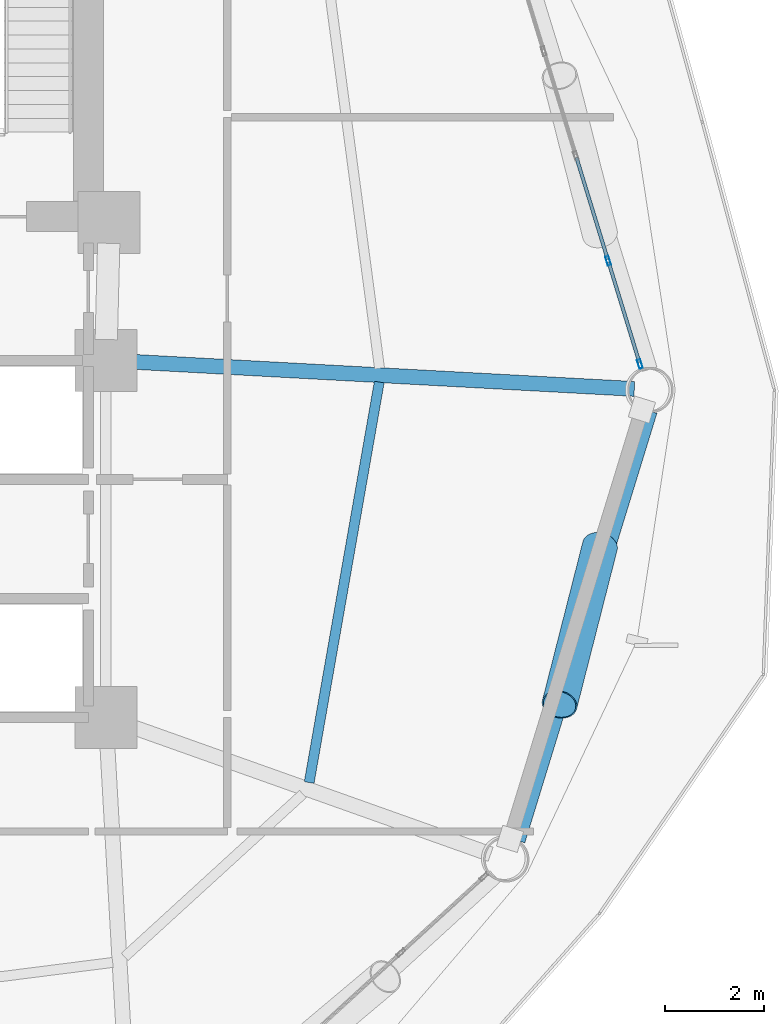
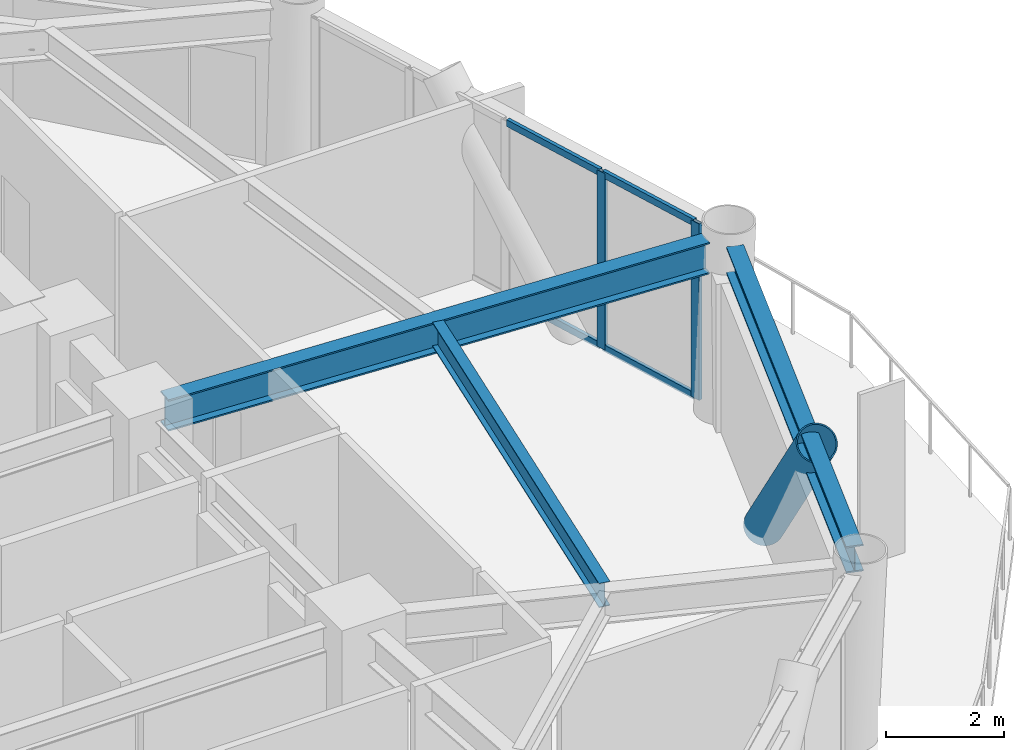
# One storey, part 14 of 24: 7 members, 3 beams, 1 element without a shape of its own.
"""IFC4 building model written with IfcOpenShell, lengths in metres."""

import ifcopenshell
import ifcopenshell.guid

model = None  # the IFC model being written
_history = None  # IfcOwnerHistory: only IFC2X3 demands one
_inside = {}  # id of a spatial element -> (the spatial element, [elements in it])
_under = {}  # id of a project, library or spatial element -> (it, [spatial elements below it])
_declared = {}  # id of a project -> (the project, [libraries it declares])
_typed = {}  # id of a type object -> (the type object, [elements of that type])
_made_of = {}  # id of a material, layer set ... -> (it, [elements and type objects made of it])


def new_model(schema):
    """Start an empty IFC model of exactly this schema.

    Asked for "IFC4X3", IfcOpenShell would pick the latest addendum, in which some entities
    have other attributes; the version numbers below select the first issue.
    IFC2X3 requires an IfcOwnerHistory on every rooted entity: one is made here for all.
    """
    global model, _history
    if schema == "IFC4X3":
        model = ifcopenshell.file(schema_version=(4, 3, 0, 0))
    else:
        model = ifcopenshell.file(schema=schema)
    _inside.clear()
    _under.clear()
    _declared.clear()
    _typed.clear()
    _made_of.clear()
    _history = None
    if model.schema == "IFC2X3":
        org = make("IfcOrganization", Name="unknown")
        user = make(
            "IfcPersonAndOrganization",
            ThePerson=make("IfcPerson", FamilyName="unknown"),
            TheOrganization=org,
        )
        app = make(
            "IfcApplication",
            ApplicationDeveloper=org,
            Version="unknown",
            ApplicationFullName="unknown",
            ApplicationIdentifier="unknown",
        )
        _history = make(
            "IfcOwnerHistory",
            OwningUser=user,
            OwningApplication=app,
            ChangeAction="ADDED",
            CreationDate=0,
        )
    return model


def make(cls, **values):
    """One entity of the class cls with the attributes given. An attribute that is None is left unset."""
    return model.create_entity(
        cls, **{name: value for name, value in values.items() if value is not None}
    )


def rooted(cls, **values):
    """An entity with a GlobalId (a new one), such as an element, a storey or a relation."""
    return make(cls, GlobalId=ifcopenshell.guid.new(), OwnerHistory=_history, **values)


def si_unit(unit_type, name, prefix=None):
    """IfcSIUnit, for example si_unit("LENGTHUNIT", "METRE", prefix="MILLI")."""
    return make("IfcSIUnit", UnitType=unit_type, Prefix=prefix, Name=name)


def assignment(units):
    """IfcUnitAssignment: the units of a project."""
    return None if units is None else make("IfcUnitAssignment", Units=units)


def point(xyz):
    """IfcCartesianPoint."""
    return None if xyz is None else make("IfcCartesianPoint", Coordinates=xyz)


def direction(xyz):
    """IfcDirection."""
    return None if xyz is None else make("IfcDirection", DirectionRatios=xyz)


def frame(location, z_axis=None, x_axis=None):
    """IfcAxis2Placement3D, a coordinate frame: its origin and axes. An axis left out is left unset."""
    return make(
        "IfcAxis2Placement3D",
        Location=point(location),
        Axis=direction(z_axis),
        RefDirection=direction(x_axis),
    )


def frame_2d(location, x_axis=None):
    """IfcAxis2Placement2D, a coordinate frame in the plane: its origin and x axis."""
    return make(
        "IfcAxis2Placement2D", Location=point(location), RefDirection=direction(x_axis)
    )


def origin():
    """The frame at (0, 0, 0) with its axes left unset."""
    return frame((0.0, 0.0, 0.0))


def origin_2d():
    """The frame at (0, 0) in the plane with its x axis left unset."""
    return frame_2d((0.0, 0.0))


def place(relative_to, where):
    """IfcLocalPlacement: puts the frame where relative to a parent placement (None: the world)."""
    return make(
        "IfcLocalPlacement", PlacementRelTo=relative_to, RelativePlacement=where
    )


def context(
    kind, dimensions, precision=None, world=None, true_north=None, identifier=None
):
    """IfcGeometricRepresentationContext, for example the 3D "Model" context."""
    return make(
        "IfcGeometricRepresentationContext",
        ContextIdentifier=identifier,
        ContextType=kind,
        CoordinateSpaceDimension=dimensions,
        Precision=precision,
        WorldCoordinateSystem=world,
        TrueNorth=true_north,
    )


def subcontext(parent, identifier, kind, view, scale=None):
    """IfcGeometricRepresentationSubContext, for example "Body" below "Model"."""
    return make(
        "IfcGeometricRepresentationSubContext",
        ContextIdentifier=identifier,
        ContextType=kind,
        ParentContext=parent,
        TargetScale=scale,
        TargetView=view,
    )


def project(units=None, contexts=None):
    """IfcProject with its units and contexts."""
    return rooted(
        "IfcProject",
        Name="project",
        RepresentationContexts=contexts,
        UnitsInContext=assignment(units),
    )


def spatial(cls, under=None, at=None, **own):
    """A site, building, storey or space (cls), placed at a placement, below another one or the project."""
    s = rooted(cls, ObjectPlacement=at, **own)
    if under is not None:
        _under.setdefault(under.id(), (under, []))[1].append(s)
    return s


def profile(cls, at=None, kind="AREA", **sizes):
    """A parametric profile (cls). Its sizes go by their IFC names, for example OverallWidth=200.0."""
    return make(cls, ProfileType=kind, Position=at, **sizes)


def hollow_rectangle(**sizes):
    """IfcRectangleHollowProfileDef."""
    return profile("IfcRectangleHollowProfileDef", **sizes)


def hollow_circle(**sizes):
    """IfcCircleHollowProfileDef."""
    return profile("IfcCircleHollowProfileDef", **sizes)


def i_section(**sizes):
    """IfcIShapeProfileDef."""
    return profile("IfcIShapeProfileDef", **sizes)


def extrude(swept, where, along, depth):
    """IfcExtrudedAreaSolid: the profile swept, set in the frame where, extruded along a direction by depth."""
    return make(
        "IfcExtrudedAreaSolid",
        SweptArea=swept,
        Position=where,
        ExtrudedDirection=direction(along),
        Depth=depth,
    )


def shape(context_of_items, identifier, shape_type, items):
    """IfcShapeRepresentation: the items that make up one representation, for example the "Body"."""
    return make(
        "IfcShapeRepresentation",
        ContextOfItems=context_of_items,
        RepresentationIdentifier=identifier,
        RepresentationType=shape_type,
        Items=items,
    )


def material(Name=None, Category=None):
    """IfcMaterial."""
    return make("IfcMaterial", Name=Name, Category=Category)


def layer(
    of_material, thickness, ventilated=None, Name=None, Category=None, Priority=None
):
    """IfcMaterialLayer: one layer of a wall or slab, of a material (None: an air gap)."""
    return make(
        "IfcMaterialLayer",
        Material=of_material,
        LayerThickness=thickness,
        IsVentilated=ventilated,
        Name=Name,
        Category=Category,
        Priority=Priority,
    )


def layer_set(layers, Name=None):
    """IfcMaterialLayerSet."""
    return make("IfcMaterialLayerSet", MaterialLayers=layers, LayerSetName=Name)


def material_profile(
    of_material, cross_section, Name=None, Category=None, Priority=None
):
    """IfcMaterialProfile: a cross section and its material."""
    return make(
        "IfcMaterialProfile",
        Name=Name,
        Material=of_material,
        Profile=cross_section,
        Priority=Priority,
        Category=Category,
    )


def profile_set(profiles, Name=None, composite=None):
    """IfcMaterialProfileSet."""
    return make(
        "IfcMaterialProfileSet",
        Name=Name,
        MaterialProfiles=profiles,
        CompositeProfile=composite,
    )


def made_of(thing, what):
    """Note that an element or type object is made of a material, layer set ...; save() writes the relation."""
    if what is not None:
        _made_of.setdefault(what.id(), (what, []))[1].append(thing)
    return thing


def type_object(cls, material=None, **own):
    """A type object (cls), such as IfcWallType, which elements share."""
    return made_of(rooted(cls, **own), material)


def element(
    cls,
    number,
    at=None,
    inside=None,
    cuts=None,
    type_object=None,
    material=None,
    context=None,
    identifier="Body",
    shape_type=None,
    held_by="IfcProductDefinitionShape",
    body=None,
    shapes=None,
    **own,
):
    """One element of the class cls, such as IfcWall. Its Tag is "e" and its number.

    at: its placement. inside: the storey or other place that contains it. cuts: it is an
    opening in that element (IfcRelVoidsElement). A single representation is given by context,
    identifier, shape_type and body (its items); several are given by shapes. held_by: the class
    of the entity that holds the representations. save() writes the other relations.
    """
    e = rooted(cls, Tag="e%d" % number, ObjectPlacement=at, **own)
    if body is not None:
        shapes = [shape(context, identifier, shape_type, body)]
    if shapes is not None:
        e.Representation = make(held_by, Representations=shapes)
    if inside is not None:
        _inside.setdefault(inside.id(), (inside, []))[1].append(e)
    if cuts is not None:
        rooted(
            "IfcRelVoidsElement", RelatingBuildingElement=cuts, RelatedOpeningElement=e
        )
    if type_object is not None:
        _typed.setdefault(type_object.id(), (type_object, []))[1].append(e)
    return made_of(e, material)


def aggregate(whole, parts):
    """IfcRelAggregates: a whole, such as a stair, and the parts it consists of."""
    return rooted("IfcRelAggregates", RelatingObject=whole, RelatedObjects=parts)


def save(model, path):
    """Write the relations noted so far, then the file.

    IfcRelAggregates (storeys below a building ...), IfcRelContainedInSpatialStructure (elements
    in a storey), IfcRelDefinesByType, IfcRelAssociatesMaterial and IfcRelDeclares: one each for
    every whole, place, type object, material and project.
    """
    for whole, parts in _under.values():
        aggregate(whole, parts)
    for where, things in _inside.values():
        rooted(
            "IfcRelContainedInSpatialStructure",
            RelatedElements=things,
            RelatingStructure=where,
        )
    for kind, things in _typed.values():
        rooted("IfcRelDefinesByType", RelatedObjects=things, RelatingType=kind)
    for what, things in _made_of.values():
        rooted("IfcRelAssociatesMaterial", RelatedObjects=things, RelatingMaterial=what)
    for by, libraries in _declared.values():
        rooted("IfcRelDeclares", RelatingContext=by, RelatedDefinitions=libraries)
    model.write(path)


model = new_model("IFC4")

# Units and contexts
model_context = context("Model", 3, precision=1e-05, world=origin(), true_north=direction((0.0, 1.0)))
body_context = subcontext(model_context, "Body", "Model", "MODEL_VIEW")
ifc_project = project(units=[si_unit("LENGTHUNIT", "METRE"), si_unit("AREAUNIT", "SQUARE_METRE"), si_unit("VOLUMEUNIT", "CUBIC_METRE"), si_unit("PLANEANGLEUNIT", "RADIAN"), si_unit("MASSUNIT", "GRAM", prefix="KILO")], contexts=[model_context])

# Site, building, storey
site_placement = place(None, origin())
site = spatial("IfcSite", under=ifc_project, at=site_placement, CompositionType="ELEMENT")
building_placement = place(site_placement, origin())
building = spatial("IfcBuilding", under=site, at=building_placement, Name="Varnakorn Sky Granary", CompositionType="ELEMENT")
storey_placement = place(building_placement, frame((0.0, 0.0, 43.199951171875)))
storey = spatial("IfcBuildingStorey", under=building, at=storey_placement, Name="L10", CompositionType="ELEMENT", Elevation=43.199951171875)

# Beams
ifc_material_1 = material(Name="Steel S355JR", Category="steel")
ifc_material_profile_1 = material_profile(ifc_material_1, i_section(OverallWidth=0.300048828125, OverallDepth=0.64990234375, WebThickness=0.01611328125, FlangeThickness=0.031005859375, at=origin_2d()), Name="HE 650 B")
ifc_profile_set_1 = profile_set([ifc_material_profile_1], Name="Steel S355JR")
beam_type_1 = type_object("IfcBeamType", Name="BM-RAD-Z1", PredefinedType="BEAM", material=ifc_profile_set_1)
beam_1_placement = place(storey_placement, frame((8.769287109375, 0.577392578125, 3.31494140625), z_axis=(0.998542307959, -0.053974616408, 0.0), x_axis=(0.053974616408, 0.998542307959, 0.0)))
element("IfcBeam", 1, at=beam_1_placement, inside=storey, type_object=beam_type_1, Name="Radial Floor Girder RG01 L10", PredefinedType="BEAM", context=body_context, shape_type="SweptSolid", body=[
    extrude(i_section(OverallWidth=0.300048828125, OverallDepth=0.64990234375, WebThickness=0.01611328125, FlangeThickness=0.031005859375, at=origin_2d()), origin(), (0.0, 0.0, 1.0), 10.254150390625),
])
ifc_material_profile_2 = material_profile(ifc_material_1, i_section(OverallWidth=0.199951171875, OverallDepth=0.5, WebThickness=0.01025390625, FlangeThickness=0.01611328125, at=origin_2d()), Name="IPE 500")
ifc_profile_set_2 = profile_set([ifc_material_profile_2], Name="Steel S355JR")
beam_type_2 = type_object("IfcBeamType", Name="BM-SEC-Z1", PredefinedType="BEAM", material=ifc_profile_set_2)
beam_2_placement = place(storey_placement, frame((12.451904296875, -7.912109375, 3.39013671875), z_axis=(0.172381776633, 0.9850302143, 0.0), x_axis=(-0.9850302143, 0.172381776633, 0.0)))
element("IfcBeam", 2, at=beam_2_placement, inside=storey, type_object=beam_type_2, Name="Secondary Floor Chord Beam MSB12 L10", PredefinedType="BEAM", context=body_context, shape_type="SweptSolid", body=[
    extrude(i_section(OverallWidth=0.199951171875, OverallDepth=0.5, WebThickness=0.01025390625, FlangeThickness=0.01611328125, at=origin_2d()), origin(), (0.0, 0.0, 1.0), 8.197509765625),
])
ifc_material_profile_3 = material_profile(ifc_material_1, i_section(OverallWidth=0.300048828125, OverallDepth=0.550048828125, WebThickness=0.014892578125, FlangeThickness=0.029052734375, at=origin_2d()), Name="HE 550 B")
ifc_profile_set_3 = profile_set([ifc_material_profile_3], Name="Steel S355JR")
beam_type_3 = type_object("IfcBeamType", Name="BM-SPD-Z1", PredefinedType="SPANDREL", material=ifc_profile_set_3)
beam_3_placement = place(storey_placement, frame((16.65625, -9.0849609375, 3.364990234375), z_axis=(0.293932510613, 0.95582617625, 0.0), x_axis=(-0.95582617625, 0.293932510613, 0.0)))
element("IfcBeam", 3, at=beam_3_placement, inside=storey, type_object=beam_type_3, Name="Perimeter Spandrel Ring Beam RB12 L10", PredefinedType="SPANDREL", context=body_context, shape_type="SweptSolid", body=[
    extrude(i_section(OverallWidth=0.300048828125, OverallDepth=0.550048828125, WebThickness=0.014892578125, FlangeThickness=0.029052734375, at=origin_2d()), origin(), (0.0, 0.0, 1.0), 9.062744140625),
])

# Curtain wall, members
ifc_material_2 = material(Name="Anodised Bronze Aluminium Alloy 6063-T6", Category="aluminium")
ifc_layer = layer(ifc_material_2, 0.18994140625, Name="Anodised Bronze Aluminium Alloy 6063-T6")
ifc_layer_set = layer_set([ifc_layer], Name="Anodised Bronze Aluminium Alloy 6063-T6")
curtain_wall_type = type_object("IfcCurtainWallType", Name="CW-FRM-1", PredefinedType="USERDEFINED", material=ifc_layer_set)
curtain_wall_placement = place(storey_placement, origin())
curtain_wall = element("IfcCurtainWall", 4, at=curtain_wall_placement, inside=storey, type_object=curtain_wall_type, Name="Unitised Curtain Wall CW3 CW-L10-B01", ObjectType="CURTAIN WALL", PredefinedType="USERDEFINED")
ifc_material_profile_4 = material_profile(ifc_material_2, hollow_rectangle(XDim=0.070068359375, YDim=0.18505859375, WallThickness=0.00390625, at=origin_2d()), Name="ALU MULL 70x185")
ifc_profile_set_4 = profile_set([ifc_material_profile_4], Name="Anodised Bronze Aluminium Alloy 6063-T6")
member_type_1 = type_object("IfcMemberType", Name="CW-FRM-1-MULL", PredefinedType="MULLION", material=ifc_profile_set_4)
member_1_placement = place(storey_placement, frame((18.480712890625, 2.607666015625, 0.0), z_axis=(0.0, 0.0, 1.0), x_axis=(0.955890425836, 0.293723498881, 0.0)))
member_1 = element("IfcMember", 5, at=member_1_placement, type_object=member_type_1, Name="CW3 mullion 4", PredefinedType="MULLION", context=body_context, shape_type="SweptSolid", body=[
    extrude(hollow_rectangle(XDim=0.070068359375, YDim=0.18505859375, WallThickness=0.00390625, at=origin_2d()), origin(), (0.0, 0.0, 1.0), 3.64013671875),
])
member_2_placement = place(storey_placement, frame((19.119873046875, 0.527587890625, 0.0), z_axis=(0.0, 0.0, 1.0), x_axis=(0.955890425836, 0.293723498881, 0.0)))
member_2 = element("IfcMember", 6, at=member_2_placement, type_object=member_type_1, Name="CW3 mullion 5", PredefinedType="MULLION", context=body_context, shape_type="SweptSolid", body=[
    extrude(hollow_rectangle(XDim=0.070068359375, YDim=0.18505859375, WallThickness=0.00390625, at=origin_2d()), origin(), (0.0, 0.0, 1.0), 3.64013671875),
])
ifc_material_profile_5 = material_profile(ifc_material_2, hollow_rectangle(XDim=0.070068359375, YDim=0.139892578125, WallThickness=0.00341796875, at=origin_2d()), Name="ALU TRAN 70x140")
ifc_profile_set_5 = profile_set([ifc_material_profile_5], Name="Anodised Bronze Aluminium Alloy 6063-T6")
member_type_2 = type_object("IfcMemberType", Name="CW-FRM-1-TRAN", PredefinedType="USERDEFINED", material=ifc_profile_set_5)
member_3_placement = place(storey_placement, frame((17.841796875, 4.6875, 0.03515625), z_axis=(0.293661086159, -0.955909601624, 0.0), x_axis=(0.955909601624, 0.293661086159, 0.0)))
member_3 = element("IfcMember", 7, at=member_3_placement, type_object=member_type_2, Name="CW3 transom 3.1", ObjectType="TRANSOM", PredefinedType="USERDEFINED", context=body_context, shape_type="SweptSolid", body=[
    extrude(hollow_rectangle(XDim=0.070068359375, YDim=0.139892578125, WallThickness=0.00341796875, at=origin_2d()), origin(), (0.0, 0.0, 1.0), 2.140869140625),
])
member_4_placement = place(storey_placement, frame((17.841796875, 4.6875, 3.60498046875), z_axis=(0.293661086159, -0.955909601624, 0.0), x_axis=(0.955909601624, 0.293661086159, 0.0)))
member_4 = element("IfcMember", 8, at=member_4_placement, type_object=member_type_2, Name="CW3 transom 3.2", ObjectType="TRANSOM", PredefinedType="USERDEFINED", context=body_context, shape_type="SweptSolid", body=[
    extrude(hollow_rectangle(XDim=0.070068359375, YDim=0.139892578125, WallThickness=0.00341796875, at=origin_2d()), origin(), (0.0, 0.0, 1.0), 2.140869140625),
])
member_5_placement = place(storey_placement, frame((18.490966796875, 2.57421875, 0.03515625), z_axis=(0.293743706522, -0.955884216251, 0.0), x_axis=(0.955884216251, 0.293743706522, 0.0)))
member_5 = element("IfcMember", 9, at=member_5_placement, type_object=member_type_2, Name="CW3 transom 4.1", ObjectType="TRANSOM", PredefinedType="USERDEFINED", context=body_context, shape_type="SweptSolid", body=[
    extrude(hollow_rectangle(XDim=0.070068359375, YDim=0.139892578125, WallThickness=0.00341796875, at=origin_2d()), origin(), (0.0, 0.0, 1.0), 2.106201171875),
])
member_6_placement = place(storey_placement, frame((18.490966796875, 2.57421875, 3.60498046875), z_axis=(0.293743706522, -0.955884216251, 0.0), x_axis=(0.955884216251, 0.293743706522, 0.0)))
member_6 = element("IfcMember", 10, at=member_6_placement, type_object=member_type_2, Name="CW3 transom 4.2", ObjectType="TRANSOM", PredefinedType="USERDEFINED", context=body_context, shape_type="SweptSolid", body=[
    extrude(hollow_rectangle(XDim=0.070068359375, YDim=0.139892578125, WallThickness=0.00341796875, at=origin_2d()), origin(), (0.0, 0.0, 1.0), 2.106201171875),
])
aggregate(curtain_wall, [member_1, member_2, member_3, member_4, member_5, member_6])

# Member
ifc_material_3 = material(Name="Steel S460M", Category="steel")
ifc_material_profile_6 = material_profile(ifc_material_3, hollow_circle(Radius=0.35546875, WallThickness=0.02490234375, at=origin_2d()), Name="CHS 711x25")
ifc_profile_set_6 = profile_set([ifc_material_profile_6], Name="Steel S460M")
member_type_3 = type_object("IfcMemberType", Name="MB-DIAG-T0", PredefinedType="BRACE", material=ifc_profile_set_6)
member_7_placement = place(storey_placement, frame((18.31494140625, -3.147216796875, -0.1298828125), z_axis=(-0.158985265982, -0.623304262642, 0.765647099761), x_axis=(0.968975905399, -0.247155203779, 0.0)))
element("IfcMember", 11, at=member_7_placement, inside=storey, type_object=member_type_3, Name="Perimeter CHS Diagrid Brace DG12 L10", PredefinedType="BRACE", context=body_context, shape_type="SweptSolid", body=[
    extrude(hollow_circle(Radius=0.35546875, WallThickness=0.02490234375, at=origin_2d()), origin(), (0.0, 0.0, 1.0), 5.11962890625),
])

save(model, "model.ifc")
